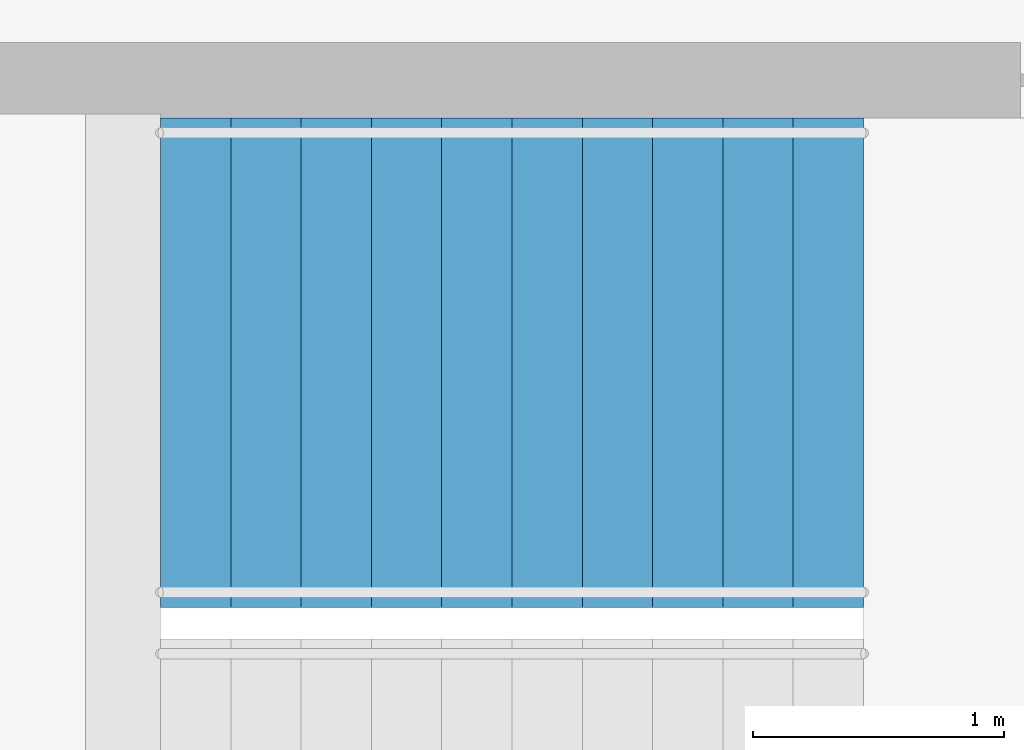
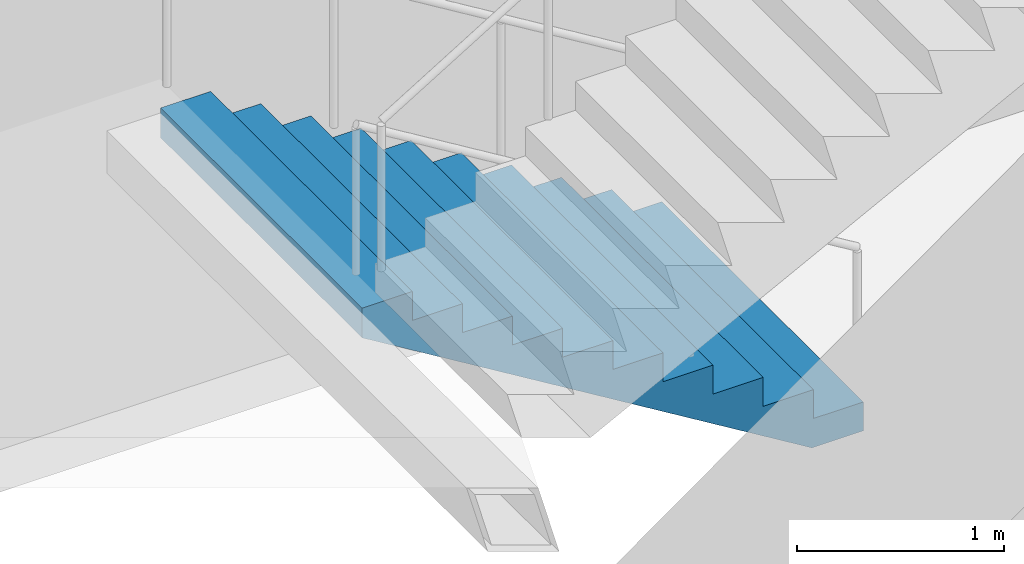
# One storey, part 22 of 23: 1 stair flight, 1 element without a shape of its own.
"""IFC4 building model written with IfcOpenShell, lengths in metres."""

from ifc_helpers import new_model, si_unit, direction, frame, origin, place, context, subcontext, project, spatial, triangles, material, type_object, element, aggregate, save


model = new_model("IFC4")

# Units and contexts
model_context = context("Model", 3, precision=1e-05, world=origin(), true_north=direction((0.0, 1.0)))
body_context = subcontext(model_context, "Body", "Model", "MODEL_VIEW")
ifc_project = project(units=[si_unit("LENGTHUNIT", "METRE"), si_unit("AREAUNIT", "SQUARE_METRE"), si_unit("VOLUMEUNIT", "CUBIC_METRE"), si_unit("PLANEANGLEUNIT", "RADIAN"), si_unit("MASSUNIT", "GRAM", prefix="KILO")], contexts=[model_context])

# Site, building, storey
site_placement = place(None, origin())
site = spatial("IfcSite", under=ifc_project, at=site_placement, CompositionType="ELEMENT")
building_placement = place(site_placement, origin())
building = spatial("IfcBuilding", under=site, at=building_placement, Name="Orbita Commons", CompositionType="ELEMENT")
storey_placement = place(building_placement, frame((0.0, 0.0, 174.85009765625)))
storey = spatial("IfcBuildingStorey", under=building, at=storey_placement, Name="L43", CompositionType="ELEMENT", Elevation=174.85009765625)

# Stair, stair flight
ifc_material_1 = material(Name="Precast concrete C40/50", Category="concrete")
stair_type = type_object("IfcStairType", Name="Exit stair S2 2 flights 11 risers 170", PredefinedType="HALF_TURN_STAIR", material=ifc_material_1)
stair_placement = place(storey_placement, origin())
stair = element("IfcStair", 1, at=stair_placement, inside=storey, type_object=stair_type, Name="Exit stair S2 L43", PredefinedType="HALF_TURN_STAIR")
ifc_material_2 = material(Name="Precast concrete C40/50", Category="concrete")
stair_flight_type = type_object("IfcStairFlightType", Name="Stair flight 11 risers 170 x 280", PredefinedType="STRAIGHT", material=ifc_material_2)
stair_flight_placement = place(storey_placement, frame((63.550048828125, 29.27490234375, 0.0), z_axis=(0.0, 0.0, 1.0), x_axis=(-1.0, 0.0, 0.0)))
stair_flight = element("IfcStairFlight", 2, at=stair_flight_placement, type_object=stair_flight_type, Name="S2 flight 1", NumberOfRisers=11, NumberOfTreads=10, PredefinedType="STRAIGHT", RiserHeight=0.170454545, TreadLength=0.28, context=body_context, shape_type="Tessellation", body=[
    triangles([(0.0, 0.974976, 0.0), (0.0, 0.974976, 0.021307), (0.0, 0.81248, 0.021307), (0.0, 0.81248, 0.0), (0.0, 0.649984, 0.021307), (0.0, 0.649984, 0.0), (0.0, 0.487488, 0.021307), (0.0, 0.487488, 0.0), (0.0, 0.324992, 0.021307), (0.0, 0.324992, 0.0), (0.0, 0.162496, 0.021307), (0.0, 0.162496, 0.0), (0.0, 0.0, 0.021307), (0.0, 0.0, 0.0), (0.0, -0.162496, 0.021307), (0.0, -0.162496, 0.0), (0.0, -0.324992, 0.021307), (0.0, -0.324992, 0.0), (0.0, -0.487488, 0.021307), (0.0, -0.487488, 0.0), (0.0, -0.649984, 0.021307), (0.0, -0.649984, 0.0), (0.0, -0.81248, 0.021307), (0.0, -0.81248, 0.0), (0.0, -0.974976, 0.021307), (0.0, -0.974976, 0.0), (0.0, 0.974976, 0.042614), (0.0, 0.81248, 0.042614), (0.0, 0.649984, 0.042614), (0.0, 0.487488, 0.042614), (0.0, 0.324992, 0.042614), (0.0, 0.162496, 0.042614), (0.0, 0.0, 0.042614), (0.0, -0.162496, 0.042614), (0.0, -0.324992, 0.042614), (0.0, -0.487488, 0.042614), (0.0, -0.649984, 0.042614), (0.0, -0.81248, 0.042614), (0.0, -0.974976, 0.042614), (0.0, 0.974976, 0.06392), (0.0, 0.81248, 0.06392), (0.0, 0.649984, 0.06392), (0.0, 0.487488, 0.06392), (0.0, 0.324992, 0.06392), (0.0, 0.162496, 0.06392), (0.0, 0.0, 0.06392), (0.0, -0.162496, 0.06392), (0.0, -0.324992, 0.06392), (0.0, -0.487488, 0.06392), (0.0, -0.649984, 0.06392), (0.0, -0.81248, 0.06392), (0.0, -0.974976, 0.06392), (0.0, 0.974976, 0.085227), (0.0, 0.81248, 0.085227), (0.0, 0.649984, 0.085227), (0.0, 0.487488, 0.085227), (0.0, 0.324992, 0.085227), (0.0, 0.162496, 0.085227), (0.0, 0.0, 0.085227), (0.0, -0.162496, 0.085227), (0.0, -0.324992, 0.085227), (0.0, -0.487488, 0.085227), (0.0, -0.649984, 0.085227), (0.0, -0.81248, 0.085227), (0.0, -0.974976, 0.085227), (0.0, 0.974976, 0.106534), (0.0, 0.81248, 0.106534), (0.0, 0.649984, 0.106534), (0.0, 0.487488, 0.106534), (0.0, 0.324992, 0.106534), (0.0, 0.162496, 0.106534), (0.0, 0.0, 0.106534), (0.0, -0.162496, 0.106534), (0.0, -0.324992, 0.106534), (0.0, -0.487488, 0.106534), (0.0, -0.649984, 0.106534), (0.0, -0.81248, 0.106534), (0.0, -0.974976, 0.106534), (0.0, 0.974976, 0.127841), (0.0, 0.81248, 0.127841), (0.0, 0.649984, 0.127841), (0.0, 0.487488, 0.127841), (0.0, 0.324992, 0.127841), (0.0, 0.162496, 0.127841), (0.0, 0.0, 0.127841), (0.0, -0.162496, 0.127841), (0.0, -0.324992, 0.127841), (0.0, -0.487488, 0.127841), (0.0, -0.649984, 0.127841), (0.0, -0.81248, 0.127841), (0.0, -0.974976, 0.127841), (0.0, 0.974976, 0.149148), (0.0, 0.81248, 0.149148), (0.0, 0.649984, 0.149148), (0.0, 0.487488, 0.149148), (0.0, 0.324992, 0.149148), (0.0, 0.162496, 0.149148), (0.0, 0.0, 0.149148), (0.0, -0.162496, 0.149148), (0.0, -0.324992, 0.149148), (0.0, -0.487488, 0.149148), (0.0, -0.649984, 0.149148), (0.0, -0.81248, 0.149148), (0.0, -0.974976, 0.149148), (0.0, 0.974976, 0.170455), (0.0, 0.81248, 0.170455), (0.0, 0.649984, 0.170455), (0.0, 0.487488, 0.170455), (0.0, 0.324992, 0.170455), (0.0, 0.162496, 0.170455), (0.0, 0.0, 0.170455), (0.0, -0.162496, 0.170455), (0.0, -0.324992, 0.170455), (0.0, -0.487488, 0.170455), (0.0, -0.649984, 0.170455), (0.0, -0.81248, 0.170455), (0.0, -0.974976, 0.170455), (0.28, 0.974976, 0.170455), (0.28, 0.81248, 0.170455), (0.28, 0.649984, 0.170455), (0.28, 0.487488, 0.170455), (0.28, 0.324992, 0.170455), (0.28, 0.162496, 0.170455), (0.28, 0.0, 0.170455), (0.28, -0.162496, 0.170455), (0.28, -0.324992, 0.170455), (0.28, -0.487488, 0.170455), (0.28, -0.649984, 0.170455), (0.28, -0.81248, 0.170455), (0.28, -0.974976, 0.170455), (0.28, 0.974976, 0.340909), (0.28, 0.81248, 0.340909), (0.28, 0.649984, 0.340909), (0.28, 0.487488, 0.340909), (0.28, 0.324992, 0.340909), (0.28, 0.162496, 0.340909), (0.28, 0.0, 0.340909), (0.28, -0.162496, 0.340909), (0.28, -0.324992, 0.340909), (0.28, -0.487488, 0.340909), (0.28, -0.649984, 0.340909), (0.28, -0.81248, 0.340909), (0.28, -0.974976, 0.340909), (0.56, 0.974976, 0.340909), (0.56, 0.81248, 0.340909), (0.56, 0.649984, 0.340909), (0.56, 0.487488, 0.340909), (0.56, 0.324992, 0.340909), (0.56, 0.162496, 0.340909), (0.56, 0.0, 0.340909), (0.56, -0.162496, 0.340909), (0.56, -0.324992, 0.340909), (0.56, -0.487488, 0.340909), (0.56, -0.649984, 0.340909), (0.56, -0.81248, 0.340909), (0.56, -0.974976, 0.340909), (0.56, 0.974976, 0.511364), (0.56, 0.81248, 0.511364), (0.56, 0.649984, 0.511364), (0.56, 0.487488, 0.511364), (0.56, 0.324992, 0.511364), (0.56, 0.162496, 0.511364), (0.56, 0.0, 0.511364), (0.56, -0.162496, 0.511364), (0.56, -0.324992, 0.511364), (0.56, -0.487488, 0.511364), (0.56, -0.649984, 0.511364), (0.56, -0.81248, 0.511364), (0.56, -0.974976, 0.511364), (0.84, 0.974976, 0.511364), (0.84, 0.81248, 0.511364), (0.84, 0.649984, 0.511364), (0.84, 0.487488, 0.511364), (0.84, 0.324992, 0.511364), (0.84, 0.162496, 0.511364), (0.84, 0.0, 0.511364), (0.84, -0.162496, 0.511364), (0.84, -0.324992, 0.511364), (0.84, -0.487488, 0.511364), (0.84, -0.649984, 0.511364), (0.84, -0.81248, 0.511364), (0.84, -0.974976, 0.511364), (0.84, 0.974976, 0.681818), (0.84, 0.81248, 0.681818), (0.84, 0.649984, 0.681818), (0.84, 0.487488, 0.681818), (0.84, 0.324992, 0.681818), (0.84, 0.162496, 0.681818), (0.84, 0.0, 0.681818), (0.84, -0.162496, 0.681818), (0.84, -0.324992, 0.681818), (0.84, -0.487488, 0.681818), (0.84, -0.649984, 0.681818), (0.84, -0.81248, 0.681818), (0.84, -0.974976, 0.681818), (1.12, 0.974976, 0.681818), (1.12, 0.81248, 0.681818), (1.12, 0.649984, 0.681818), (1.12, 0.487488, 0.681818), (1.12, 0.324992, 0.681818), (1.12, 0.162496, 0.681818), (1.12, 0.0, 0.681818), (1.12, -0.162496, 0.681818), (1.12, -0.324992, 0.681818), (1.12, -0.487488, 0.681818), (1.12, -0.649984, 0.681818), (1.12, -0.81248, 0.681818), (1.12, -0.974976, 0.681818), (1.12, 0.974976, 0.852273), (1.12, 0.81248, 0.852273), (1.12, 0.649984, 0.852273), (1.12, 0.487488, 0.852273), (1.12, 0.324992, 0.852273), (1.12, 0.162496, 0.852273), (1.12, 0.0, 0.852273), (1.12, -0.162496, 0.852273), (1.12, -0.324992, 0.852273), (1.12, -0.487488, 0.852273), (1.12, -0.649984, 0.852273), (1.12, -0.81248, 0.852273), (1.12, -0.974976, 0.852273), (1.4, 0.974976, 0.852273), (1.4, 0.81248, 0.852273), (1.4, 0.649984, 0.852273), (1.4, 0.487488, 0.852273), (1.4, 0.324992, 0.852273), (1.4, 0.162496, 0.852273), (1.4, 0.0, 0.852273), (1.4, -0.162496, 0.852273), (1.4, -0.324992, 0.852273), (1.4, -0.487488, 0.852273), (1.4, -0.649984, 0.852273), (1.4, -0.81248, 0.852273), (1.4, -0.974976, 0.852273), (1.4, 0.974976, 1.022727), (1.4, 0.81248, 1.022727), (1.4, 0.649984, 1.022727), (1.4, 0.487488, 1.022727), (1.4, 0.324992, 1.022727), (1.4, 0.162496, 1.022727), (1.4, 0.0, 1.022727), (1.4, -0.162496, 1.022727), (1.4, -0.324992, 1.022727), (1.4, -0.487488, 1.022727), (1.4, -0.649984, 1.022727), (1.4, -0.81248, 1.022727), (1.4, -0.974976, 1.022727), (1.68, 0.974976, 1.022727), (1.68, 0.81248, 1.022727), (1.68, 0.649984, 1.022727), (1.68, 0.487488, 1.022727), (1.68, 0.324992, 1.022727), (1.68, 0.162496, 1.022727), (1.68, 0.0, 1.022727), (1.68, -0.162496, 1.022727), (1.68, -0.324992, 1.022727), (1.68, -0.487488, 1.022727), (1.68, -0.649984, 1.022727), (1.68, -0.81248, 1.022727), (1.68, -0.974976, 1.022727), (1.68, 0.974976, 1.193182), (1.68, 0.81248, 1.193182), (1.68, 0.649984, 1.193182), (1.68, 0.487488, 1.193182), (1.68, 0.324992, 1.193182), (1.68, 0.162496, 1.193182), (1.68, 0.0, 1.193182), (1.68, -0.162496, 1.193182), (1.68, -0.324992, 1.193182), (1.68, -0.487488, 1.193182), (1.68, -0.649984, 1.193182), (1.68, -0.81248, 1.193182), (1.68, -0.974976, 1.193182), (1.96, 0.974976, 1.193182), (1.96, 0.81248, 1.193182), (1.96, 0.649984, 1.193182), (1.96, 0.487488, 1.193182), (1.96, 0.324992, 1.193182), (1.96, 0.162496, 1.193182), (1.96, 0.0, 1.193182), (1.96, -0.162496, 1.193182), (1.96, -0.324992, 1.193182), (1.96, -0.487488, 1.193182), (1.96, -0.649984, 1.193182), (1.96, -0.81248, 1.193182), (1.96, -0.974976, 1.193182), (1.96, 0.974976, 1.363636), (1.96, 0.81248, 1.363636), (1.96, 0.649984, 1.363636), (1.96, 0.487488, 1.363636), (1.96, 0.324992, 1.363636), (1.96, 0.162496, 1.363636), (1.96, 0.0, 1.363636), (1.96, -0.162496, 1.363636), (1.96, -0.324992, 1.363636), (1.96, -0.487488, 1.363636), (1.96, -0.649984, 1.363636), (1.96, -0.81248, 1.363636), (1.96, -0.974976, 1.363636), (2.24, 0.974976, 1.363636), (2.24, 0.81248, 1.363636), (2.24, 0.649984, 1.363636), (2.24, 0.487488, 1.363636), (2.24, 0.324992, 1.363636), (2.24, 0.162496, 1.363636), (2.24, 0.0, 1.363636), (2.24, -0.162496, 1.363636), (2.24, -0.324992, 1.363636), (2.24, -0.487488, 1.363636), (2.24, -0.649984, 1.363636), (2.24, -0.81248, 1.363636), (2.24, -0.974976, 1.363636), (2.24, 0.974976, 1.534091), (2.24, 0.81248, 1.534091), (2.24, 0.649984, 1.534091), (2.24, 0.487488, 1.534091), (2.24, 0.324992, 1.534091), (2.24, 0.162496, 1.534091), (2.24, 0.0, 1.534091), (2.24, -0.162496, 1.534091), (2.24, -0.324992, 1.534091), (2.24, -0.487488, 1.534091), (2.24, -0.649984, 1.534091), (2.24, -0.81248, 1.534091), (2.24, -0.974976, 1.534091), (2.52, 0.974976, 1.534091), (2.52, 0.81248, 1.534091), (2.52, 0.649984, 1.534091), (2.52, 0.487488, 1.534091), (2.52, 0.324992, 1.534091), (2.52, 0.162496, 1.534091), (2.52, 0.0, 1.534091), (2.52, -0.162496, 1.534091), (2.52, -0.324992, 1.534091), (2.52, -0.487488, 1.534091), (2.52, -0.649984, 1.534091), (2.52, -0.81248, 1.534091), (2.52, -0.974976, 1.534091), (2.52, 0.974976, 1.704545), (2.52, 0.81248, 1.704545), (2.52, 0.649984, 1.704545), (2.52, 0.487488, 1.704545), (2.52, 0.324992, 1.704545), (2.52, 0.162496, 1.704545), (2.52, 0.0, 1.704545), (2.52, -0.162496, 1.704545), (2.52, -0.324992, 1.704545), (2.52, -0.487488, 1.704545), (2.52, -0.649984, 1.704545), (2.52, -0.81248, 1.704545), (2.52, -0.974976, 1.704545), (2.8, 0.974976, 1.704545), (2.8, 0.81248, 1.704545), (2.8, 0.649984, 1.704545), (2.8, 0.487488, 1.704545), (2.8, 0.324992, 1.704545), (2.8, 0.162496, 1.704545), (2.8, 0.0, 1.704545), (2.8, -0.162496, 1.704545), (2.8, -0.324992, 1.704545), (2.8, -0.487488, 1.704545), (2.8, -0.649984, 1.704545), (2.8, -0.81248, 1.704545), (2.8, -0.974976, 1.704545), (2.8, 0.974976, 1.682609), (2.8, 0.81248, 1.682609), (2.8, 0.649984, 1.682609), (2.8, 0.487488, 1.682609), (2.8, 0.324992, 1.682609), (2.8, 0.162496, 1.682609), (2.8, 0.0, 1.682609), (2.8, -0.162496, 1.682609), (2.8, -0.324992, 1.682609), (2.8, -0.487488, 1.682609), (2.8, -0.649984, 1.682609), (2.8, -0.81248, 1.682609), (2.8, -0.974976, 1.682609), (2.8, 0.974976, 1.660672), (2.8, 0.81248, 1.660672), (2.8, 0.649984, 1.660672), (2.8, 0.487488, 1.660672), (2.8, 0.324992, 1.660672), (2.8, 0.162496, 1.660672), (2.8, 0.0, 1.660672), (2.8, -0.162496, 1.660672), (2.8, -0.324992, 1.660672), (2.8, -0.487488, 1.660672), (2.8, -0.649984, 1.660672), (2.8, -0.81248, 1.660672), (2.8, -0.974976, 1.660672), (2.8, 0.974976, 1.638735), (2.8, 0.81248, 1.638735), (2.8, 0.649984, 1.638735), (2.8, 0.487488, 1.638735), (2.8, 0.324992, 1.638735), (2.8, 0.162496, 1.638735), (2.8, 0.0, 1.638735), (2.8, -0.162496, 1.638735), (2.8, -0.324992, 1.638735), (2.8, -0.487488, 1.638735), (2.8, -0.649984, 1.638735), (2.8, -0.81248, 1.638735), (2.8, -0.974976, 1.638735), (2.8, 0.974976, 1.616798), (2.8, 0.81248, 1.616798), (2.8, 0.649984, 1.616798), (2.8, 0.487488, 1.616798), (2.8, 0.324992, 1.616798), (2.8, 0.162496, 1.616798), (2.8, 0.0, 1.616798), (2.8, -0.162496, 1.616798), (2.8, -0.324992, 1.616798), (2.8, -0.487488, 1.616798), (2.8, -0.649984, 1.616798), (2.8, -0.81248, 1.616798), (2.8, -0.974976, 1.616798), (2.8, 0.974976, 1.594861), (2.8, 0.81248, 1.594861), (2.8, 0.649984, 1.594861), (2.8, 0.487488, 1.594861), (2.8, 0.324992, 1.594861), (2.8, 0.162496, 1.594861), (2.8, 0.0, 1.594861), (2.8, -0.162496, 1.594861), (2.8, -0.324992, 1.594861), (2.8, -0.487488, 1.594861), (2.8, -0.649984, 1.594861), (2.8, -0.81248, 1.594861), (2.8, -0.974976, 1.594861), (2.8, 0.974976, 1.572925), (2.8, 0.81248, 1.572925), (2.8, 0.649984, 1.572925), (2.8, 0.487488, 1.572925), (2.8, 0.324992, 1.572925), (2.8, 0.162496, 1.572925), (2.8, 0.0, 1.572925), (2.8, -0.162496, 1.572925), (2.8, -0.324992, 1.572925), (2.8, -0.487488, 1.572925), (2.8, -0.649984, 1.572925), (2.8, -0.81248, 1.572925), (2.8, -0.974976, 1.572925), (2.8, 0.974976, 1.550988), (2.8, 0.81248, 1.550988), (2.8, 0.649984, 1.550988), (2.8, 0.487488, 1.550988), (2.8, 0.324992, 1.550988), (2.8, 0.162496, 1.550988), (2.8, 0.0, 1.550988), (2.8, -0.162496, 1.550988), (2.8, -0.324992, 1.550988), (2.8, -0.487488, 1.550988), (2.8, -0.649984, 1.550988), (2.8, -0.81248, 1.550988), (2.8, -0.974976, 1.550988), (2.8, 0.974976, 1.529051), (2.8, 0.81248, 1.529051), (2.8, 0.649984, 1.529051), (2.8, 0.487488, 1.529051), (2.8, 0.324992, 1.529051), (2.8, 0.162496, 1.529051), (2.8, 0.0, 1.529051), (2.8, -0.162496, 1.529051), (2.8, -0.324992, 1.529051), (2.8, -0.487488, 1.529051), (2.8, -0.649984, 1.529051), (2.8, -0.81248, 1.529051), (2.8, -0.974976, 1.529051), (0.288279, 0.974976, 0.0), (0.288279, 0.81248, 0.0), (0.288279, 0.649984, 0.0), (0.288279, 0.487488, 0.0), (0.288279, 0.324992, 0.0), (0.288279, 0.162496, 0.0), (0.288279, 0.0, 0.0), (0.288279, -0.162496, 0.0), (0.288279, -0.324992, 0.0), (0.288279, -0.487488, 0.0), (0.288279, -0.649984, 0.0), (0.288279, -0.81248, 0.0), (0.288279, -0.974976, 0.0)], [[3, 2, 1], [4, 3, 1], [5, 3, 4], [6, 5, 4], [7, 5, 6], [8, 7, 6], [9, 7, 8], [10, 9, 8], [11, 9, 10], [12, 11, 10], [13, 11, 12], [14, 13, 12], [15, 13, 14], [16, 15, 14], [17, 15, 16], [18, 17, 16], [19, 17, 18], [20, 19, 18], [21, 19, 20], [22, 21, 20], [23, 21, 22], [24, 23, 22], [25, 23, 24], [26, 25, 24], [28, 27, 2], [3, 28, 2], [29, 28, 3], [5, 29, 3], [30, 29, 5], [7, 30, 5], [31, 30, 7], [9, 31, 7], [32, 31, 9], [11, 32, 9], [33, 32, 11], [13, 33, 11], [34, 33, 13], [15, 34, 13], [35, 34, 15], [17, 35, 15], [36, 35, 17], [19, 36, 17], [37, 36, 19], [21, 37, 19], [38, 37, 21], [23, 38, 21], [39, 38, 23], [25, 39, 23], [41, 40, 27], [28, 41, 27], [42, 41, 28], [29, 42, 28], [43, 42, 29], [30, 43, 29], [44, 43, 30], [31, 44, 30], [45, 44, 31], [32, 45, 31], [46, 45, 32], [33, 46, 32], [47, 46, 33], [34, 47, 33], [48, 47, 34], [35, 48, 34], [49, 48, 35], [36, 49, 35], [50, 49, 36], [37, 50, 36], [51, 50, 37], [38, 51, 37], [52, 51, 38], [39, 52, 38], [54, 53, 40], [41, 54, 40], [55, 54, 41], [42, 55, 41], [56, 55, 42], [43, 56, 42], [57, 56, 43], [44, 57, 43], [58, 57, 44], [45, 58, 44], [59, 58, 45], [46, 59, 45], [60, 59, 46], [47, 60, 46], [61, 60, 47], [48, 61, 47], [62, 61, 48], [49, 62, 48], [63, 62, 49], [50, 63, 49], [64, 63, 50], [51, 64, 50], [65, 64, 51], [52, 65, 51], [67, 66, 53], [54, 67, 53], [68, 67, 54], [55, 68, 54], [69, 68, 55], [56, 69, 55], [70, 69, 56], [57, 70, 56], [71, 70, 57], [58, 71, 57], [72, 71, 58], [59, 72, 58], [73, 72, 59], [60, 73, 59], [74, 73, 60], [61, 74, 60], [75, 74, 61], [62, 75, 61], [76, 75, 62], [63, 76, 62], [77, 76, 63], [64, 77, 63], [78, 77, 64], [65, 78, 64], [80, 79, 66], [67, 80, 66], [81, 80, 67], [68, 81, 67], [82, 81, 68], [69, 82, 68], [83, 82, 69], [70, 83, 69], [84, 83, 70], [71, 84, 70], [85, 84, 71], [72, 85, 71], [86, 85, 72], [73, 86, 72], [87, 86, 73], [74, 87, 73], [88, 87, 74], [75, 88, 74], [89, 88, 75], [76, 89, 75], [90, 89, 76], [77, 90, 76], [91, 90, 77], [78, 91, 77], [93, 92, 79], [80, 93, 79], [94, 93, 80], [81, 94, 80], [95, 94, 81], [82, 95, 81], [96, 95, 82], [83, 96, 82], [97, 96, 83], [84, 97, 83], [98, 97, 84], [85, 98, 84], [99, 98, 85], [86, 99, 85], [100, 99, 86], [87, 100, 86], [101, 100, 87], [88, 101, 87], [102, 101, 88], [89, 102, 88], [103, 102, 89], [90, 103, 89], [104, 103, 90], [91, 104, 90], [106, 105, 92], [93, 106, 92], [107, 106, 93], [94, 107, 93], [108, 107, 94], [95, 108, 94], [109, 108, 95], [96, 109, 95], [110, 109, 96], [97, 110, 96], [111, 110, 97], [98, 111, 97], [112, 111, 98], [99, 112, 98], [113, 112, 99], [100, 113, 99], [114, 113, 100], [101, 114, 100], [115, 114, 101], [102, 115, 101], [116, 115, 102], [103, 116, 102], [117, 116, 103], [104, 117, 103], [119, 118, 105], [106, 119, 105], [120, 119, 106], [107, 120, 106], [121, 120, 107], [108, 121, 107], [122, 121, 108], [109, 122, 108], [123, 122, 109], [110, 123, 109], [124, 123, 110], [111, 124, 110], [125, 124, 111], [112, 125, 111], [126, 125, 112], [113, 126, 112], [127, 126, 113], [114, 127, 113], [128, 127, 114], [115, 128, 114], [129, 128, 115], [116, 129, 115], [130, 129, 116], [117, 130, 116], [132, 131, 118], [119, 132, 118], [133, 132, 119], [120, 133, 119], [134, 133, 120], [121, 134, 120], [135, 134, 121], [122, 135, 121], [136, 135, 122], [123, 136, 122], [137, 136, 123], [124, 137, 123], [138, 137, 124], [125, 138, 124], [139, 138, 125], [126, 139, 125], [140, 139, 126], [127, 140, 126], [141, 140, 127], [128, 141, 127], [142, 141, 128], [129, 142, 128], [143, 142, 129], [130, 143, 129], [145, 144, 131], [132, 145, 131], [146, 145, 132], [133, 146, 132], [147, 146, 133], [134, 147, 133], [148, 147, 134], [135, 148, 134], [149, 148, 135], [136, 149, 135], [150, 149, 136], [137, 150, 136], [151, 150, 137], [138, 151, 137], [152, 151, 138], [139, 152, 138], [153, 152, 139], [140, 153, 139], [154, 153, 140], [141, 154, 140], [155, 154, 141], [142, 155, 141], [156, 155, 142], [143, 156, 142], [158, 157, 144], [145, 158, 144], [159, 158, 145], [146, 159, 145], [160, 159, 146], [147, 160, 146], [161, 160, 147], [148, 161, 147], [162, 161, 148], [149, 162, 148], [163, 162, 149], [150, 163, 149], [164, 163, 150], [151, 164, 150], [165, 164, 151], [152, 165, 151], [166, 165, 152], [153, 166, 152], [167, 166, 153], [154, 167, 153], [168, 167, 154], [155, 168, 154], [169, 168, 155], [156, 169, 155], [171, 170, 157], [158, 171, 157], [172, 171, 158], [159, 172, 158], [173, 172, 159], [160, 173, 159], [174, 173, 160], [161, 174, 160], [175, 174, 161], [162, 175, 161], [176, 175, 162], [163, 176, 162], [177, 176, 163], [164, 177, 163], [178, 177, 164], [165, 178, 164], [179, 178, 165], [166, 179, 165], [180, 179, 166], [167, 180, 166], [181, 180, 167], [168, 181, 167], [182, 181, 168], [169, 182, 168], [184, 183, 170], [171, 184, 170], [185, 184, 171], [172, 185, 171], [186, 185, 172], [173, 186, 172], [187, 186, 173], [174, 187, 173], [188, 187, 174], [175, 188, 174], [189, 188, 175], [176, 189, 175], [190, 189, 176], [177, 190, 176], [191, 190, 177], [178, 191, 177], [192, 191, 178], [179, 192, 178], [193, 192, 179], [180, 193, 179], [194, 193, 180], [181, 194, 180], [195, 194, 181], [182, 195, 181], [197, 196, 183], [184, 197, 183], [198, 197, 184], [185, 198, 184], [199, 198, 185], [186, 199, 185], [200, 199, 186], [187, 200, 186], [201, 200, 187], [188, 201, 187], [202, 201, 188], [189, 202, 188], [203, 202, 189], [190, 203, 189], [204, 203, 190], [191, 204, 190], [205, 204, 191], [192, 205, 191], [206, 205, 192], [193, 206, 192], [207, 206, 193], [194, 207, 193], [208, 207, 194], [195, 208, 194], [210, 209, 196], [197, 210, 196], [211, 210, 197], [198, 211, 197], [212, 211, 198], [199, 212, 198], [213, 212, 199], [200, 213, 199], [214, 213, 200], [201, 214, 200], [215, 214, 201], [202, 215, 201], [216, 215, 202], [203, 216, 202], [217, 216, 203], [204, 217, 203], [218, 217, 204], [205, 218, 204], [219, 218, 205], [206, 219, 205], [220, 219, 206], [207, 220, 206], [221, 220, 207], [208, 221, 207], [223, 222, 209], [210, 223, 209], [224, 223, 210], [211, 224, 210], [225, 224, 211], [212, 225, 211], [226, 225, 212], [213, 226, 212], [227, 226, 213], [214, 227, 213], [228, 227, 214], [215, 228, 214], [229, 228, 215], [216, 229, 215], [230, 229, 216], [217, 230, 216], [231, 230, 217], [218, 231, 217], [232, 231, 218], [219, 232, 218], [233, 232, 219], [220, 233, 219], [234, 233, 220], [221, 234, 220], [236, 235, 222], [223, 236, 222], [237, 236, 223], [224, 237, 223], [238, 237, 224], [225, 238, 224], [239, 238, 225], [226, 239, 225], [240, 239, 226], [227, 240, 226], [241, 240, 227], [228, 241, 227], [242, 241, 228], [229, 242, 228], [243, 242, 229], [230, 243, 229], [244, 243, 230], [231, 244, 230], [245, 244, 231], [232, 245, 231], [246, 245, 232], [233, 246, 232], [247, 246, 233], [234, 247, 233], [249, 248, 235], [236, 249, 235], [250, 249, 236], [237, 250, 236], [251, 250, 237], [238, 251, 237], [252, 251, 238], [239, 252, 238], [253, 252, 239], [240, 253, 239], [254, 253, 240], [241, 254, 240], [255, 254, 241], [242, 255, 241], [256, 255, 242], [243, 256, 242], [257, 256, 243], [244, 257, 243], [258, 257, 244], [245, 258, 244], [259, 258, 245], [246, 259, 245], [260, 259, 246], [247, 260, 246], [262, 261, 248], [249, 262, 248], [263, 262, 249], [250, 263, 249], [264, 263, 250], [251, 264, 250], [265, 264, 251], [252, 265, 251], [266, 265, 252], [253, 266, 252], [267, 266, 253], [254, 267, 253], [268, 267, 254], [255, 268, 254], [269, 268, 255], [256, 269, 255], [270, 269, 256], [257, 270, 256], [271, 270, 257], [258, 271, 257], [272, 271, 258], [259, 272, 258], [273, 272, 259], [260, 273, 259], [275, 274, 261], [262, 275, 261], [276, 275, 262], [263, 276, 262], [277, 276, 263], [264, 277, 263], [278, 277, 264], [265, 278, 264], [279, 278, 265], [266, 279, 265], [280, 279, 266], [267, 280, 266], [281, 280, 267], [268, 281, 267], [282, 281, 268], [269, 282, 268], [283, 282, 269], [270, 283, 269], [284, 283, 270], [271, 284, 270], [285, 284, 271], [272, 285, 271], [286, 285, 272], [273, 286, 272], [288, 287, 274], [275, 288, 274], [289, 288, 275], [276, 289, 275], [290, 289, 276], [277, 290, 276], [291, 290, 277], [278, 291, 277], [292, 291, 278], [279, 292, 278], [293, 292, 279], [280, 293, 279], [294, 293, 280], [281, 294, 280], [295, 294, 281], [282, 295, 281], [296, 295, 282], [283, 296, 282], [297, 296, 283], [284, 297, 283], [298, 297, 284], [285, 298, 284], [299, 298, 285], [286, 299, 285], [301, 300, 287], [288, 301, 287], [302, 301, 288], [289, 302, 288], [303, 302, 289], [290, 303, 289], [304, 303, 290], [291, 304, 290], [305, 304, 291], [292, 305, 291], [306, 305, 292], [293, 306, 292], [307, 306, 293], [294, 307, 293], [308, 307, 294], [295, 308, 294], [309, 308, 295], [296, 309, 295], [310, 309, 296], [297, 310, 296], [311, 310, 297], [298, 311, 297], [312, 311, 298], [299, 312, 298], [314, 313, 300], [301, 314, 300], [315, 314, 301], [302, 315, 301], [316, 315, 302], [303, 316, 302], [317, 316, 303], [304, 317, 303], [318, 317, 304], [305, 318, 304], [319, 318, 305], [306, 319, 305], [320, 319, 306], [307, 320, 306], [321, 320, 307], [308, 321, 307], [322, 321, 308], [309, 322, 308], [323, 322, 309], [310, 323, 309], [324, 323, 310], [311, 324, 310], [325, 324, 311], [312, 325, 311], [327, 326, 313], [314, 327, 313], [328, 327, 314], [315, 328, 314], [329, 328, 315], [316, 329, 315], [330, 329, 316], [317, 330, 316], [331, 330, 317], [318, 331, 317], [332, 331, 318], [319, 332, 318], [333, 332, 319], [320, 333, 319], [334, 333, 320], [321, 334, 320], [335, 334, 321], [322, 335, 321], [336, 335, 322], [323, 336, 322], [337, 336, 323], [324, 337, 323], [338, 337, 324], [325, 338, 324], [340, 339, 326], [327, 340, 326], [341, 340, 327], [328, 341, 327], [342, 341, 328], [329, 342, 328], [343, 342, 329], [330, 343, 329], [344, 343, 330], [331, 344, 330], [345, 344, 331], [332, 345, 331], [346, 345, 332], [333, 346, 332], [347, 346, 333], [334, 347, 333], [348, 347, 334], [335, 348, 334], [349, 348, 335], [336, 349, 335], [350, 349, 336], [337, 350, 336], [351, 350, 337], [338, 351, 337], [353, 352, 339], [340, 353, 339], [354, 353, 340], [341, 354, 340], [355, 354, 341], [342, 355, 341], [356, 355, 342], [343, 356, 342], [357, 356, 343], [344, 357, 343], [358, 357, 344], [345, 358, 344], [359, 358, 345], [346, 359, 345], [360, 359, 346], [347, 360, 346], [361, 360, 347], [348, 361, 347], [362, 361, 348], [349, 362, 348], [363, 362, 349], [350, 363, 349], [364, 363, 350], [351, 364, 350], [366, 365, 352], [353, 366, 352], [367, 366, 353], [354, 367, 353], [368, 367, 354], [355, 368, 354], [369, 368, 355], [356, 369, 355], [370, 369, 356], [357, 370, 356], [371, 370, 357], [358, 371, 357], [372, 371, 358], [359, 372, 358], [373, 372, 359], [360, 373, 359], [374, 373, 360], [361, 374, 360], [375, 374, 361], [362, 375, 361], [376, 375, 362], [363, 376, 362], [377, 376, 363], [364, 377, 363], [379, 378, 365], [366, 379, 365], [380, 379, 366], [367, 380, 366], [381, 380, 367], [368, 381, 367], [382, 381, 368], [369, 382, 368], [383, 382, 369], [370, 383, 369], [384, 383, 370], [371, 384, 370], [385, 384, 371], [372, 385, 371], [386, 385, 372], [373, 386, 372], [387, 386, 373], [374, 387, 373], [388, 387, 374], [375, 388, 374], [389, 388, 375], [376, 389, 375], [390, 389, 376], [377, 390, 376], [392, 391, 378], [379, 392, 378], [393, 392, 379], [380, 393, 379], [394, 393, 380], [381, 394, 380], [395, 394, 381], [382, 395, 381], [396, 395, 382], [383, 396, 382], [397, 396, 383], [384, 397, 383], [398, 397, 384], [385, 398, 384], [399, 398, 385], [386, 399, 385], [400, 399, 386], [387, 400, 386], [401, 400, 387], [388, 401, 387], [402, 401, 388], [389, 402, 388], [403, 402, 389], [390, 403, 389], [405, 404, 391], [392, 405, 391], [406, 405, 392], [393, 406, 392], [407, 406, 393], [394, 407, 393], [408, 407, 394], [395, 408, 394], [409, 408, 395], [396, 409, 395], [410, 409, 396], [397, 410, 396], [411, 410, 397], [398, 411, 397], [412, 411, 398], [399, 412, 398], [413, 412, 399], [400, 413, 399], [414, 413, 400], [401, 414, 400], [415, 414, 401], [402, 415, 401], [416, 415, 402], [403, 416, 402], [418, 417, 404], [405, 418, 404], [419, 418, 405], [406, 419, 405], [420, 419, 406], [407, 420, 406], [421, 420, 407], [408, 421, 407], [422, 421, 408], [409, 422, 408], [423, 422, 409], [410, 423, 409], [424, 423, 410], [411, 424, 410], [425, 424, 411], [412, 425, 411], [426, 425, 412], [413, 426, 412], [427, 426, 413], [414, 427, 413], [428, 427, 414], [415, 428, 414], [429, 428, 415], [416, 429, 415], [431, 430, 417], [418, 431, 417], [432, 431, 418], [419, 432, 418], [433, 432, 419], [420, 433, 419], [434, 433, 420], [421, 434, 420], [435, 434, 421], [422, 435, 421], [436, 435, 422], [423, 436, 422], [437, 436, 423], [424, 437, 423], [438, 437, 424], [425, 438, 424], [439, 438, 425], [426, 439, 425], [440, 439, 426], [427, 440, 426], [441, 440, 427], [428, 441, 427], [442, 441, 428], [429, 442, 428], [444, 443, 430], [431, 444, 430], [445, 444, 431], [432, 445, 431], [446, 445, 432], [433, 446, 432], [447, 446, 433], [434, 447, 433], [448, 447, 434], [435, 448, 434], [449, 448, 435], [436, 449, 435], [450, 449, 436], [437, 450, 436], [451, 450, 437], [438, 451, 437], [452, 451, 438], [439, 452, 438], [453, 452, 439], [440, 453, 439], [454, 453, 440], [441, 454, 440], [455, 454, 441], [442, 455, 441], [457, 456, 443], [444, 457, 443], [458, 457, 444], [445, 458, 444], [459, 458, 445], [446, 459, 445], [460, 459, 446], [447, 460, 446], [461, 460, 447], [448, 461, 447], [462, 461, 448], [449, 462, 448], [463, 462, 449], [450, 463, 449], [464, 463, 450], [451, 464, 450], [465, 464, 451], [452, 465, 451], [466, 465, 452], [453, 466, 452], [467, 466, 453], [454, 467, 453], [468, 467, 454], [455, 468, 454], [470, 469, 456], [457, 470, 456], [471, 470, 457], [458, 471, 457], [472, 471, 458], [459, 472, 458], [473, 472, 459], [460, 473, 459], [474, 473, 460], [461, 474, 460], [475, 474, 461], [462, 475, 461], [476, 475, 462], [463, 476, 462], [477, 476, 463], [464, 477, 463], [478, 477, 464], [465, 478, 464], [479, 478, 465], [466, 479, 465], [480, 479, 466], [467, 480, 466], [481, 480, 467], [468, 481, 467], [4, 1, 469], [470, 4, 469], [6, 4, 470], [471, 6, 470], [8, 6, 471], [472, 8, 471], [10, 8, 472], [473, 10, 472], [12, 10, 473], [474, 12, 473], [14, 12, 474], [475, 14, 474], [16, 14, 475], [476, 16, 475], [18, 16, 476], [477, 18, 476], [20, 18, 477], [478, 20, 477], [22, 20, 478], [479, 22, 478], [24, 22, 479], [480, 24, 479], [26, 24, 480], [481, 26, 480], [456, 469, 1], [26, 481, 468], [443, 456, 1], [26, 468, 455], [430, 443, 1], [26, 455, 442], [417, 430, 1], [26, 442, 429], [404, 417, 1], [26, 429, 416], [391, 404, 1], [26, 416, 403], [378, 391, 1], [26, 403, 390], [365, 378, 1], [26, 390, 377], [339, 352, 365], [377, 364, 351], [326, 339, 365], [377, 351, 338], [300, 313, 326], [338, 325, 312], [300, 326, 365], [377, 338, 312], [274, 287, 300], [312, 299, 286], [274, 300, 365], [377, 312, 286], [248, 261, 274], [286, 273, 260], [248, 274, 365], [377, 286, 260], [222, 235, 248], [260, 247, 234], [222, 248, 365], [377, 260, 234], [196, 209, 222], [234, 221, 208], [196, 222, 365], [377, 234, 208], [170, 183, 196], [208, 195, 182], [170, 196, 365], [377, 208, 182], [144, 157, 170], [182, 169, 156], [144, 170, 365], [377, 182, 156], [118, 131, 144], [156, 143, 130], [118, 144, 365], [377, 156, 130], [118, 365, 1], [26, 377, 130], [92, 105, 118], [130, 117, 104], [79, 92, 118], [130, 104, 91], [66, 79, 118], [130, 91, 78], [53, 66, 118], [130, 78, 65], [40, 53, 118], [130, 65, 52], [27, 40, 118], [130, 52, 39], [2, 27, 118], [130, 39, 25], [1, 2, 118], [130, 25, 26]], closed=True),
])
aggregate(stair, [stair_flight])

save(model, "model.ifc")
